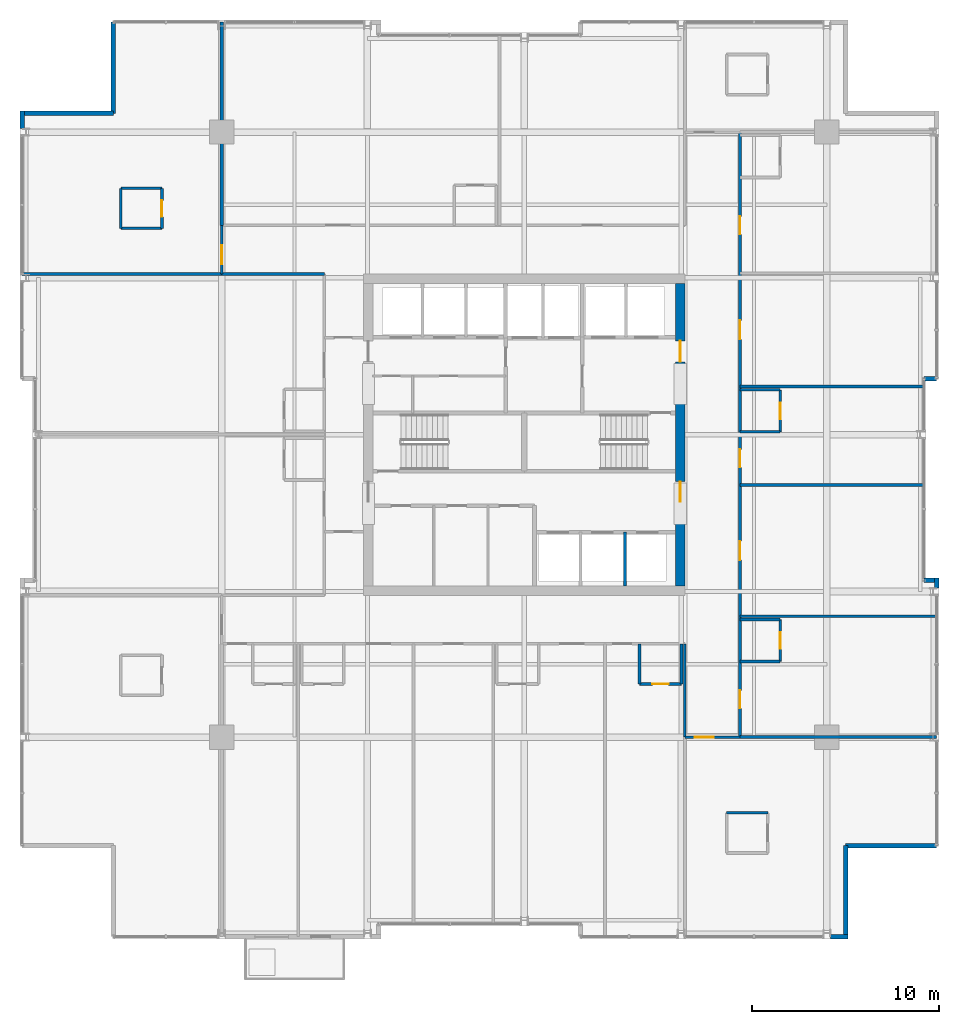
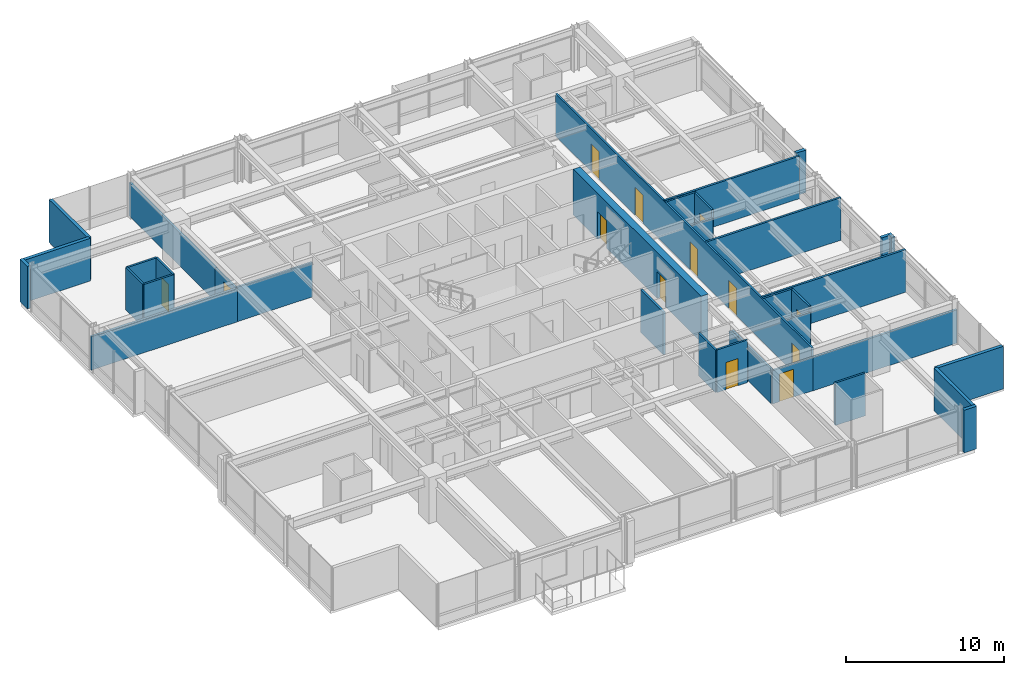
# One storey, part 28 of 32: 36 walls, 13 doors, 13 openings.
"""IFC4 building model written with IfcOpenShell, lengths in metres."""

import ifcopenshell
import ifcopenshell.guid

model = None  # the IFC model being written
_history = None  # IfcOwnerHistory: only IFC2X3 demands one
_inside = {}  # id of a spatial element -> (the spatial element, [elements in it])
_under = {}  # id of a project, library or spatial element -> (it, [spatial elements below it])
_declared = {}  # id of a project -> (the project, [libraries it declares])
_typed = {}  # id of a type object -> (the type object, [elements of that type])
_made_of = {}  # id of a material, layer set ... -> (it, [elements and type objects made of it])


def new_model(schema):
    """Start an empty IFC model of exactly this schema.

    Asked for "IFC4X3", IfcOpenShell would pick the latest addendum, in which some entities
    have other attributes; the version numbers below select the first issue.
    IFC2X3 requires an IfcOwnerHistory on every rooted entity: one is made here for all.
    """
    global model, _history
    if schema == "IFC4X3":
        model = ifcopenshell.file(schema_version=(4, 3, 0, 0))
    else:
        model = ifcopenshell.file(schema=schema)
    _inside.clear()
    _under.clear()
    _declared.clear()
    _typed.clear()
    _made_of.clear()
    _history = None
    if model.schema == "IFC2X3":
        org = make("IfcOrganization", Name="unknown")
        user = make(
            "IfcPersonAndOrganization",
            ThePerson=make("IfcPerson", FamilyName="unknown"),
            TheOrganization=org,
        )
        app = make(
            "IfcApplication",
            ApplicationDeveloper=org,
            Version="unknown",
            ApplicationFullName="unknown",
            ApplicationIdentifier="unknown",
        )
        _history = make(
            "IfcOwnerHistory",
            OwningUser=user,
            OwningApplication=app,
            ChangeAction="ADDED",
            CreationDate=0,
        )
    return model


def make(cls, **values):
    """One entity of the class cls with the attributes given. An attribute that is None is left unset."""
    return model.create_entity(
        cls, **{name: value for name, value in values.items() if value is not None}
    )


def rooted(cls, **values):
    """An entity with a GlobalId (a new one), such as an element, a storey or a relation."""
    return make(cls, GlobalId=ifcopenshell.guid.new(), OwnerHistory=_history, **values)


def si_unit(unit_type, name, prefix=None):
    """IfcSIUnit, for example si_unit("LENGTHUNIT", "METRE", prefix="MILLI")."""
    return make("IfcSIUnit", UnitType=unit_type, Prefix=prefix, Name=name)


def assignment(units):
    """IfcUnitAssignment: the units of a project."""
    return None if units is None else make("IfcUnitAssignment", Units=units)


def point(xyz):
    """IfcCartesianPoint."""
    return None if xyz is None else make("IfcCartesianPoint", Coordinates=xyz)


def direction(xyz):
    """IfcDirection."""
    return None if xyz is None else make("IfcDirection", DirectionRatios=xyz)


def frame(location, z_axis=None, x_axis=None):
    """IfcAxis2Placement3D, a coordinate frame: its origin and axes. An axis left out is left unset."""
    return make(
        "IfcAxis2Placement3D",
        Location=point(location),
        Axis=direction(z_axis),
        RefDirection=direction(x_axis),
    )


def frame_2d(location, x_axis=None):
    """IfcAxis2Placement2D, a coordinate frame in the plane: its origin and x axis."""
    return make(
        "IfcAxis2Placement2D", Location=point(location), RefDirection=direction(x_axis)
    )


def origin():
    """The frame at (0, 0, 0) with its axes left unset."""
    return frame((0.0, 0.0, 0.0))


def place(relative_to, where):
    """IfcLocalPlacement: puts the frame where relative to a parent placement (None: the world)."""
    return make(
        "IfcLocalPlacement", PlacementRelTo=relative_to, RelativePlacement=where
    )


def context(
    kind, dimensions, precision=None, world=None, true_north=None, identifier=None
):
    """IfcGeometricRepresentationContext, for example the 3D "Model" context."""
    return make(
        "IfcGeometricRepresentationContext",
        ContextIdentifier=identifier,
        ContextType=kind,
        CoordinateSpaceDimension=dimensions,
        Precision=precision,
        WorldCoordinateSystem=world,
        TrueNorth=true_north,
    )


def subcontext(parent, identifier, kind, view, scale=None):
    """IfcGeometricRepresentationSubContext, for example "Body" below "Model"."""
    return make(
        "IfcGeometricRepresentationSubContext",
        ContextIdentifier=identifier,
        ContextType=kind,
        ParentContext=parent,
        TargetScale=scale,
        TargetView=view,
    )


def project(units=None, contexts=None):
    """IfcProject with its units and contexts."""
    return rooted(
        "IfcProject",
        Name="project",
        RepresentationContexts=contexts,
        UnitsInContext=assignment(units),
    )


def spatial(cls, under=None, at=None, **own):
    """A site, building, storey or space (cls), placed at a placement, below another one or the project."""
    s = rooted(cls, ObjectPlacement=at, **own)
    if under is not None:
        _under.setdefault(under.id(), (under, []))[1].append(s)
    return s


def profile(cls, at=None, kind="AREA", **sizes):
    """A parametric profile (cls). Its sizes go by their IFC names, for example OverallWidth=200.0."""
    return make(cls, ProfileType=kind, Position=at, **sizes)


def rectangle(**sizes):
    """IfcRectangleProfileDef."""
    return profile("IfcRectangleProfileDef", **sizes)


def extrude(swept, where, along, depth):
    """IfcExtrudedAreaSolid: the profile swept, set in the frame where, extruded along a direction by depth."""
    return make(
        "IfcExtrudedAreaSolid",
        SweptArea=swept,
        Position=where,
        ExtrudedDirection=direction(along),
        Depth=depth,
    )


def shape(context_of_items, identifier, shape_type, items):
    """IfcShapeRepresentation: the items that make up one representation, for example the "Body"."""
    return make(
        "IfcShapeRepresentation",
        ContextOfItems=context_of_items,
        RepresentationIdentifier=identifier,
        RepresentationType=shape_type,
        Items=items,
    )


def material(Name=None, Category=None):
    """IfcMaterial."""
    return make("IfcMaterial", Name=Name, Category=Category)


def layer(
    of_material, thickness, ventilated=None, Name=None, Category=None, Priority=None
):
    """IfcMaterialLayer: one layer of a wall or slab, of a material (None: an air gap)."""
    return make(
        "IfcMaterialLayer",
        Material=of_material,
        LayerThickness=thickness,
        IsVentilated=ventilated,
        Name=Name,
        Category=Category,
        Priority=Priority,
    )


def layer_set(layers, Name=None):
    """IfcMaterialLayerSet."""
    return make("IfcMaterialLayerSet", MaterialLayers=layers, LayerSetName=Name)


def made_of(thing, what):
    """Note that an element or type object is made of a material, layer set ...; save() writes the relation."""
    if what is not None:
        _made_of.setdefault(what.id(), (what, []))[1].append(thing)
    return thing


def type_object(cls, material=None, **own):
    """A type object (cls), such as IfcWallType, which elements share."""
    return made_of(rooted(cls, **own), material)


def element(
    cls,
    number,
    at=None,
    inside=None,
    cuts=None,
    type_object=None,
    material=None,
    context=None,
    identifier="Body",
    shape_type=None,
    held_by="IfcProductDefinitionShape",
    body=None,
    shapes=None,
    **own,
):
    """One element of the class cls, such as IfcWall. Its Tag is "e" and its number.

    at: its placement. inside: the storey or other place that contains it. cuts: it is an
    opening in that element (IfcRelVoidsElement). A single representation is given by context,
    identifier, shape_type and body (its items); several are given by shapes. held_by: the class
    of the entity that holds the representations. save() writes the other relations.
    """
    e = rooted(cls, Tag="e%d" % number, ObjectPlacement=at, **own)
    if body is not None:
        shapes = [shape(context, identifier, shape_type, body)]
    if shapes is not None:
        e.Representation = make(held_by, Representations=shapes)
    if inside is not None:
        _inside.setdefault(inside.id(), (inside, []))[1].append(e)
    if cuts is not None:
        rooted(
            "IfcRelVoidsElement", RelatingBuildingElement=cuts, RelatedOpeningElement=e
        )
    if type_object is not None:
        _typed.setdefault(type_object.id(), (type_object, []))[1].append(e)
    return made_of(e, material)


def fill(opening, filler):
    """IfcRelFillsElement: the door or window that sits in an opening."""
    return rooted(
        "IfcRelFillsElement",
        RelatingOpeningElement=opening,
        RelatedBuildingElement=filler,
    )


def aggregate(whole, parts):
    """IfcRelAggregates: a whole, such as a stair, and the parts it consists of."""
    return rooted("IfcRelAggregates", RelatingObject=whole, RelatedObjects=parts)


def save(model, path):
    """Write the relations noted so far, then the file.

    IfcRelAggregates (storeys below a building ...), IfcRelContainedInSpatialStructure (elements
    in a storey), IfcRelDefinesByType, IfcRelAssociatesMaterial and IfcRelDeclares: one each for
    every whole, place, type object, material and project.
    """
    for whole, parts in _under.values():
        aggregate(whole, parts)
    for where, things in _inside.values():
        rooted(
            "IfcRelContainedInSpatialStructure",
            RelatedElements=things,
            RelatingStructure=where,
        )
    for kind, things in _typed.values():
        rooted("IfcRelDefinesByType", RelatedObjects=things, RelatingType=kind)
    for what, things in _made_of.values():
        rooted("IfcRelAssociatesMaterial", RelatedObjects=things, RelatingMaterial=what)
    for by, libraries in _declared.values():
        rooted("IfcRelDeclares", RelatingContext=by, RelatedDefinitions=libraries)
    model.write(path)


model = new_model("IFC4")

# Units and contexts
model_context = context("Model", 3, precision=1e-05, world=origin(), true_north=direction((0.0, 1.0)))
body_context = subcontext(model_context, "Body", "Model", "MODEL_VIEW")
ifc_project = project(units=[si_unit("LENGTHUNIT", "METRE"), si_unit("AREAUNIT", "SQUARE_METRE"), si_unit("VOLUMEUNIT", "CUBIC_METRE"), si_unit("PLANEANGLEUNIT", "RADIAN"), si_unit("MASSUNIT", "GRAM", prefix="KILO")], contexts=[model_context])

# Site, building, storey
site_placement = place(None, origin())
site = spatial("IfcSite", under=ifc_project, at=site_placement, CompositionType="ELEMENT")
building_placement = place(site_placement, origin())
building = spatial("IfcBuilding", under=site, at=building_placement, Name="Drelvath Grand Hotel", CompositionType="ELEMENT")
storey_placement = place(building_placement, frame((0.0, 0.0, 193.0)))
storey = spatial("IfcBuildingStorey", under=building, at=storey_placement, Name="L50", CompositionType="ELEMENT", Elevation=193.0)

# Walls
ifc_material_1 = material(Name="Gypsum Fireboard Partition")
ifc_layer_1 = layer(ifc_material_1, 0.1650390625)
ifc_layer_set_1 = layer_set([ifc_layer_1], Name="Gypsum Fireboard Partition")
wall_type_1 = type_object("IfcWallType", Name="Core Shaft Partition 165", PredefinedType="PARTITIONING", material=ifc_layer_set_1)
wall_1_placement = place(storey_placement, frame((5.39990234375, 18.89990234375, 0.0), z_axis=(0.0, 0.0, 1.0), x_axis=(0.0, 1.0, 0.0)))
element("IfcWall", 1, at=wall_1_placement, inside=storey, type_object=wall_type_1, Name="L50 Lift PE-5/6 Divider", PredefinedType="PARTITIONING", context=body_context, shape_type="SweptSolid", body=[
    extrude(rectangle(XDim=2.880126953125, YDim=0.1650390625, at=frame_2d((1.43994140625, 0.0))), origin(), (0.0, 0.0, 1.0), 3.2900390625),
])
ifc_layer_2 = layer(ifc_material_1, 0.135009765625)
ifc_layer_set_2 = layer_set([ifc_layer_2], Name="Gypsum Fireboard Partition")
wall_type_2 = type_object("IfcWallType", Name="Corridor Fire Barrier Wall 135", PredefinedType="PARTITIONING", material=ifc_layer_set_2)
wall_2_placement = place(storey_placement, frame((8.60009765625, 10.800048828125, 0.0), z_axis=(0.0, 0.0, 1.0), x_axis=(0.0, 1.0, 0.0)))
element("IfcWall", 2, at=wall_2_placement, inside=storey, type_object=wall_type_2, Name="L50 East Spine South Inner Wall", PredefinedType="PARTITIONING", context=body_context, shape_type="SweptSolid", body=[
    extrude(rectangle(XDim=5.0, YDim=0.135009765625, at=frame_2d((2.5, 0.0))), origin(), (0.0, 0.0, 1.0), 2.66748046875),
])
wall_3_placement = place(storey_placement, frame((-16.199951171875, 35.60009765625, 0.0), z_axis=(0.0, 0.0, 1.0), x_axis=(1.0, 0.0, 0.0)))
element("IfcWall", 3, at=wall_3_placement, inside=storey, type_object=wall_type_2, Name="L50 NW Stub South Wall", PredefinedType="PARTITIONING", context=body_context, shape_type="SweptSolid", body=[
    extrude(rectangle(XDim=5.5, YDim=0.135009765625, at=frame_2d((2.75, 0.0))), origin(), (0.0, 0.0, 1.0), 2.66748046875),
])

# Wall, openings, doors
wall_4_placement = place(storey_placement, frame((11.550048828125, 10.800048828125, 0.0), z_axis=(0.0, 0.0, 1.0), x_axis=(0.0, 1.0, 0.0)))
wall_4 = element("IfcWall", 4, at=wall_4_placement, inside=storey, type_object=wall_type_2, Name="L50 East Spine Corridor Wall", PredefinedType="PARTITIONING", context=body_context, shape_type="SweptSolid", body=[
    extrude(rectangle(XDim=32.39990234375, YDim=0.135009765625, at=frame_2d((16.199951171875, 0.0))), origin(), (0.0, 0.0, 1.0), 3.2900390625),
])
opening_1_placement = place(wall_4_placement, frame((1.544921875, 0.0, 0.0)))
opening_1 = element("IfcOpeningElement", 5, at=opening_1_placement, cuts=wall_4, Name="Opening D-T3G5-047", PredefinedType="OPENING", context=body_context, shape_type="SweptSolid", body=[
    extrude(rectangle(XDim=0.9599609375, YDim=2.14990234375, at=frame_2d((0.47998046875, 1.074951171875))), frame((0.0, 0.077392578125, 0.0), z_axis=(0.0, -1.0, 0.0), x_axis=(1.0, 0.0, 0.0)), (0.0, 0.0, 1.0), 0.155029296875),
])
opening_2_placement = place(wall_4_placement, frame((9.47998046875, 0.0, 0.0)))
opening_2 = element("IfcOpeningElement", 6, at=opening_2_placement, cuts=wall_4, Name="Opening D-T3G5-048", PredefinedType="OPENING", context=body_context, shape_type="SweptSolid", body=[
    extrude(rectangle(XDim=1.02001953125, YDim=2.14990234375, at=frame_2d((0.510009765625, 1.074951171875))), frame((0.0, 0.077392578125, 0.0), z_axis=(0.0, -1.0, 0.0), x_axis=(1.0, 0.0, 0.0)), (0.0, 0.0, 1.0), 0.155029296875),
])
opening_3_placement = place(wall_4_placement, frame((14.445068359375, 0.0, 0.0)))
opening_3 = element("IfcOpeningElement", 7, at=opening_3_placement, cuts=wall_4, Name="Opening D-T3G5-050", PredefinedType="OPENING", context=body_context, shape_type="SweptSolid", body=[
    extrude(rectangle(XDim=0.9599609375, YDim=2.14990234375, at=frame_2d((0.47998046875, 1.074951171875))), frame((0.0, 0.077392578125, 0.0), z_axis=(0.0, -1.0, 0.0), x_axis=(1.0, 0.0, 0.0)), (0.0, 0.0, 1.0), 0.155029296875),
])
opening_4_placement = place(wall_4_placement, frame((21.300048828125, 0.0, 0.0)))
opening_4 = element("IfcOpeningElement", 8, at=opening_4_placement, cuts=wall_4, Name="Opening D-T3G5-051", PredefinedType="OPENING", context=body_context, shape_type="SweptSolid", body=[
    extrude(rectangle(XDim=1.02001953125, YDim=2.14990234375, at=frame_2d((0.510009765625, 1.074951171875))), frame((0.0, 0.077392578125, 0.0), z_axis=(0.0, -1.0, 0.0), x_axis=(1.0, 0.0, 0.0)), (0.0, 0.0, 1.0), 0.155029296875),
])
opening_5_placement = place(wall_4_placement, frame((26.925048828125, 0.0, 0.0)))
opening_5 = element("IfcOpeningElement", 9, at=opening_5_placement, cuts=wall_4, Name="Opening D-T3G5-053", PredefinedType="OPENING", context=body_context, shape_type="SweptSolid", body=[
    extrude(rectangle(XDim=0.9599609375, YDim=2.14990234375, at=frame_2d((0.47998046875, 1.074951171875))), frame((0.0, 0.077392578125, 0.0), z_axis=(0.0, -1.0, 0.0), x_axis=(1.0, 0.0, 0.0)), (0.0, 0.0, 1.0), 0.155029296875),
])
ifc_material_2 = material(Name="Hardwood Walnut Timber", Category="wood")
door_type_1 = type_object("IfcDoorType", Name="Amenity Meeting Fire Door 1020x2150", OperationType="NOTDEFINED", PredefinedType="DOOR", material=ifc_material_2)
door_1_placement = place(opening_2_placement, origin())
door_1 = element("IfcDoor", 10, at=door_1_placement, inside=storey, type_object=door_type_1, Name="L50 Spa Therapy Room Entry Door", OperationType="SINGLE_SWING_RIGHT", OverallHeight=2.14990234375, OverallWidth=1.02001953125, PredefinedType="DOOR", context=body_context, shape_type="SweptSolid", body=[
    extrude(rectangle(XDim=1.02001953125, YDim=2.14990234375, at=frame_2d((0.510009765625, 1.074951171875))), frame((0.0, 0.02490234375, 0.0), z_axis=(0.0, -1.0, 0.0), x_axis=(1.0, 0.0, 0.0)), (0.0, 0.0, 1.0), 0.050048828125),
])
fill(opening_2, door_1)
door_2_placement = place(opening_4_placement, origin())
door_2 = element("IfcDoor", 11, at=door_2_placement, inside=storey, type_object=door_type_1, Name="L50 Protocol Office Entry Door", OperationType="SINGLE_SWING_LEFT", OverallHeight=2.14990234375, OverallWidth=1.02001953125, PredefinedType="DOOR", context=body_context, shape_type="SweptSolid", body=[
    extrude(rectangle(XDim=1.02001953125, YDim=2.14990234375, at=frame_2d((0.510009765625, 1.074951171875))), frame((0.0, 0.02490234375, 0.0), z_axis=(0.0, -1.0, 0.0), x_axis=(1.0, 0.0, 0.0)), (0.0, 0.0, 1.0), 0.050048828125),
])
fill(opening_4, door_2)
door_type_2 = type_object("IfcDoorType", Name="Guestroom Entrance Fire Door 960x2150", OperationType="NOTDEFINED", PredefinedType="DOOR", material=ifc_material_2)
door_3_placement = place(opening_1_placement, origin())
door_3 = element("IfcDoor", 12, at=door_3_placement, inside=storey, type_object=door_type_2, Name="L50 King Guest Room Entry Door", OperationType="SINGLE_SWING_LEFT", OverallHeight=2.14990234375, OverallWidth=0.9599609375, PredefinedType="DOOR", context=body_context, shape_type="SweptSolid", body=[
    extrude(rectangle(XDim=0.9599609375, YDim=2.14990234375, at=frame_2d((0.47998046875, 1.074951171875))), frame((0.0, 0.02490234375, 0.0), z_axis=(0.0, -1.0, 0.0), x_axis=(1.0, 0.0, 0.0)), (0.0, 0.0, 1.0), 0.050048828125),
])
fill(opening_1, door_3)
door_4_placement = place(opening_3_placement, origin())
door_4 = element("IfcDoor", 13, at=door_4_placement, inside=storey, type_object=door_type_2, Name="L50 King Guest Room Entry Door", OperationType="SINGLE_SWING_RIGHT", OverallHeight=2.14990234375, OverallWidth=0.9599609375, PredefinedType="DOOR", context=body_context, shape_type="SweptSolid", body=[
    extrude(rectangle(XDim=0.9599609375, YDim=2.14990234375, at=frame_2d((0.47998046875, 1.074951171875))), frame((0.0, 0.02490234375, 0.0), z_axis=(0.0, -1.0, 0.0), x_axis=(1.0, 0.0, 0.0)), (0.0, 0.0, 1.0), 0.050048828125),
])
fill(opening_3, door_4)
door_5_placement = place(opening_5_placement, origin())
door_5 = element("IfcDoor", 14, at=door_5_placement, inside=storey, type_object=door_type_2, Name="L50 King Guest Room Entry Door", OperationType="SINGLE_SWING_LEFT", OverallHeight=2.14990234375, OverallWidth=0.9599609375, PredefinedType="DOOR", context=body_context, shape_type="SweptSolid", body=[
    extrude(rectangle(XDim=0.9599609375, YDim=2.14990234375, at=frame_2d((0.47998046875, 1.074951171875))), frame((0.0, 0.02490234375, 0.0), z_axis=(0.0, -1.0, 0.0), x_axis=(1.0, 0.0, 0.0)), (0.0, 0.0, 1.0), 0.050048828125),
])
fill(opening_5, door_5)

# Wall, opening, door
wall_5_placement = place(storey_placement, frame((-16.199951171875, 35.60009765625, 0.0), z_axis=(0.0, 0.0, 1.0), x_axis=(0.0, 1.0, 0.0)))
wall_5 = element("IfcWall", 15, at=wall_5_placement, inside=storey, type_object=wall_type_2, Name="L50 North Stub West End", PredefinedType="PARTITIONING", context=body_context, shape_type="SweptSolid", body=[
    extrude(rectangle(XDim=2.599853515625, YDim=0.135009765625, at=frame_2d((1.2998046875, 0.0))), origin(), (0.0, 0.0, 1.0), 2.57958984375),
])
opening_6_placement = place(wall_5_placement, frame((0.52001953125, 0.0, 0.0)))
opening_6 = element("IfcOpeningElement", 16, at=opening_6_placement, cuts=wall_5, Name="Opening D-T3G5-029", PredefinedType="OPENING", context=body_context, shape_type="SweptSolid", body=[
    extrude(rectangle(XDim=1.02001953125, YDim=2.14990234375, at=frame_2d((0.510009765625, 1.074951171875))), frame((0.0, 0.077392578125, 0.0), z_axis=(0.0, -1.0, 0.0), x_axis=(1.0, 0.0, 0.0)), (0.0, 0.0, 1.0), 0.155029296875),
])
door_6_placement = place(opening_6_placement, origin())
door_6 = element("IfcDoor", 17, at=door_6_placement, inside=storey, type_object=door_type_1, Name="L50 Executive Suite Entry Door", OperationType="SINGLE_SWING_LEFT", OverallHeight=2.14990234375, OverallWidth=1.02001953125, PredefinedType="DOOR", context=body_context, shape_type="SweptSolid", body=[
    extrude(rectangle(XDim=1.02001953125, YDim=2.14990234375, at=frame_2d((0.510009765625, 1.074951171875))), frame((0.0, 0.02490234375, 0.0), z_axis=(0.0, -1.0, 0.0), x_axis=(1.0, 0.0, 0.0)), (0.0, 0.0, 1.0), 0.050048828125),
])
fill(opening_6, door_6)

wall_6_placement = place(storey_placement, frame((8.60009765625, 10.800048828125, 0.0), z_axis=(0.0, 0.0, 1.0), x_axis=(1.0, 0.0, 0.0)))
wall_6 = element("IfcWall", 18, at=wall_6_placement, inside=storey, type_object=wall_type_2, Name="L50 East Spine South End", PredefinedType="PARTITIONING", context=body_context, shape_type="SweptSolid", body=[
    extrude(rectangle(XDim=2.949951171875, YDim=0.135009765625, at=frame_2d((1.47509765625, 0.0))), origin(), (0.0, 0.0, 1.0), 2.57958984375),
])
opening_7_placement = place(wall_6_placement, frame((0.52001953125, 0.0, 0.0)))
opening_7 = element("IfcOpeningElement", 19, at=opening_7_placement, cuts=wall_6, Name="Opening D-T3G5-031", PredefinedType="OPENING", context=body_context, shape_type="SweptSolid", body=[
    extrude(rectangle(XDim=1.02001953125, YDim=2.14990234375, at=frame_2d((0.510009765625, 1.074951171875))), frame((0.0, 0.077392578125, 0.0), z_axis=(0.0, -1.0, 0.0), x_axis=(1.0, 0.0, 0.0)), (0.0, 0.0, 1.0), 0.155029296875),
])
door_7_placement = place(opening_7_placement, origin())
door_7 = element("IfcDoor", 20, at=door_7_placement, inside=storey, type_object=door_type_1, Name="L50 Executive Suite Entry Door", OperationType="SINGLE_SWING_LEFT", OverallHeight=2.14990234375, OverallWidth=1.02001953125, PredefinedType="DOOR", context=body_context, shape_type="SweptSolid", body=[
    extrude(rectangle(XDim=1.02001953125, YDim=2.14990234375, at=frame_2d((0.510009765625, 1.074951171875))), frame((0.0, 0.02490234375, 0.0), z_axis=(0.0, -1.0, 0.0), x_axis=(1.0, 0.0, 0.0)), (0.0, 0.0, 1.0), 0.050048828125),
])
fill(opening_7, door_7)

# Walls
ifc_material_3 = material(Name="Moisture-Resistant Gypsum Board")
ifc_layer_3 = layer(ifc_material_3, 0.139892578125)
ifc_layer_set_3 = layer_set([ifc_layer_3], Name="Moisture-Resistant Gypsum Board")
wall_type_3 = type_object("IfcWallType", Name="En-Suite Plumbing Wall 140", PredefinedType="PLUMBINGWALL", material=ifc_layer_set_3)
for number, where, z_axis, x_axis, name in (
    (21, (-21.60009765625, 38.0400390625, 0.0), (0.0, 0.0, 1.0), (1.0, 0.0, 0.0), "L50 Corner En-Suite South"),
    (22, (-21.60009765625, 40.18994140625, 0.0), (0.0, 0.0, 1.0), (1.0, 0.0, 0.0), "L50 Corner En-Suite North"),
):
    element("IfcWall", number, at=place(storey_placement, frame(where, z_axis=z_axis, x_axis=x_axis)), inside=storey, type_object=wall_type_3, Name=name, PredefinedType="PLUMBINGWALL", context=body_context, shape_type="SweptSolid", body=[
        extrude(rectangle(XDim=2.2001953125, YDim=0.139892578125, at=frame_2d((1.10009765625, 0.0))), origin(), (0.0, 0.0, 1.0), 3.2900390625),
    ])
wall_7_placement = place(storey_placement, frame((-21.60009765625, 38.0400390625, 0.0), z_axis=(0.0, 0.0, 1.0), x_axis=(0.0, 1.0, 0.0)))
element("IfcWall", 23, at=wall_7_placement, inside=storey, type_object=wall_type_3, Name="L50 Corner En-Suite West", PredefinedType="PLUMBINGWALL", context=body_context, shape_type="SweptSolid", body=[
    extrude(rectangle(XDim=2.14990234375, YDim=0.139892578125, at=frame_2d((1.074951171875, 0.0))), origin(), (0.0, 0.0, 1.0), 3.2900390625),
])

# Wall, opening, door
wall_8_placement = place(storey_placement, frame((-19.39990234375, 38.0400390625, 0.0), z_axis=(0.0, 0.0, 1.0), x_axis=(0.0, 1.0, 0.0)))
wall_8 = element("IfcWall", 24, at=wall_8_placement, inside=storey, type_object=wall_type_3, Name="L50 Corner En-Suite East", PredefinedType="PLUMBINGWALL", context=body_context, shape_type="SweptSolid", body=[
    extrude(rectangle(XDim=2.14990234375, YDim=0.139892578125, at=frame_2d((1.074951171875, 0.0))), origin(), (0.0, 0.0, 1.0), 3.2900390625),
])
opening_8_placement = place(wall_8_placement, frame((0.6201171875, 0.0, 0.0)))
opening_8 = element("IfcOpeningElement", 25, at=opening_8_placement, cuts=wall_8, Name="Opening D-T3G5-028", PredefinedType="OPENING", context=body_context, shape_type="SweptSolid", body=[
    extrude(rectangle(XDim=0.8798828125, YDim=2.10009765625, at=frame_2d((0.43994140625, 1.050048828125))), frame((0.0, 0.079833984375, 0.0), z_axis=(0.0, -1.0, 0.0), x_axis=(1.0, 0.0, 0.0)), (0.0, 0.0, 1.0), 0.159912109375),
])
door_type_3 = type_object("IfcDoorType", Name="En-Suite Bathroom Door 880x2100", OperationType="NOTDEFINED", PredefinedType="DOOR", material=ifc_material_2)
door_8_placement = place(opening_8_placement, origin())
door_8 = element("IfcDoor", 26, at=door_8_placement, inside=storey, type_object=door_type_3, Name="L50 Corner En-Suite Door", OperationType="SINGLE_SWING_RIGHT", OverallHeight=2.10009765625, OverallWidth=0.8798828125, PredefinedType="DOOR", context=body_context, shape_type="SweptSolid", body=[
    extrude(rectangle(XDim=0.8798828125, YDim=2.10009765625, at=frame_2d((0.43994140625, 1.050048828125))), frame((0.0, 0.02490234375, 0.0), z_axis=(0.0, -1.0, 0.0), x_axis=(1.0, 0.0, 0.0)), (0.0, 0.0, 1.0), 0.050048828125),
])
fill(opening_8, door_8)

# Walls
wall_9_placement = place(storey_placement, frame((10.840087890625, 6.75, 0.0), z_axis=(0.0, 0.0, 1.0), x_axis=(1.0, 0.0, 0.0)))
element("IfcWall", 27, at=wall_9_placement, inside=storey, type_object=wall_type_3, Name="L50 Corner En-Suite North", PredefinedType="PLUMBINGWALL", context=body_context, shape_type="SweptSolid", body=[
    extrude(rectangle(XDim=2.199951171875, YDim=0.139892578125, at=frame_2d((1.10009765625, 0.0))), origin(), (0.0, 0.0, 1.0), 3.2900390625),
])
wall_10_placement = place(storey_placement, frame((6.169921875, 15.800048828125, 0.0), z_axis=(0.0, 0.0, 1.0), x_axis=(0.0, -1.0, 0.0)))
element("IfcWall", 28, at=wall_10_placement, inside=storey, type_object=wall_type_3, Name="L50 En-Suite Left Wall", PredefinedType="PLUMBINGWALL", context=body_context, shape_type="SweptSolid", body=[
    extrude(rectangle(XDim=2.150146484375, YDim=0.139892578125, at=frame_2d((1.0751953125, 0.0))), origin(), (0.0, 0.0, 1.0), 3.2900390625),
])
wall_11_placement = place(storey_placement, frame((8.419921875, 15.800048828125, 0.0), z_axis=(0.0, 0.0, 1.0), x_axis=(0.0, -1.0, 0.0)))
element("IfcWall", 29, at=wall_11_placement, inside=storey, type_object=wall_type_3, Name="L50 En-Suite Right Wall", PredefinedType="PLUMBINGWALL", context=body_context, shape_type="SweptSolid", body=[
    extrude(rectangle(XDim=2.150146484375, YDim=0.139892578125, at=frame_2d((1.0751953125, 0.0))), origin(), (0.0, 0.0, 1.0), 2.66748046875),
])

# Wall, opening, door
wall_12_placement = place(storey_placement, frame((6.169921875, 13.64990234375, 0.0), z_axis=(0.0, 0.0, 1.0), x_axis=(1.0, 0.0, 0.0)))
wall_12 = element("IfcWall", 30, at=wall_12_placement, inside=storey, type_object=wall_type_3, Name="L50 En-Suite Front Wall", PredefinedType="PLUMBINGWALL", context=body_context, shape_type="SweptSolid", body=[
    extrude(rectangle(XDim=2.25, YDim=0.139892578125, at=frame_2d((1.125, 0.0))), origin(), (0.0, 0.0, 1.0), 3.2900390625),
])
opening_9_placement = place(wall_12_placement, frame((0.68505859375, 0.0, 0.0)))
opening_9 = element("IfcOpeningElement", 31, at=opening_9_placement, cuts=wall_12, Name="Opening D-T3G5-041", PredefinedType="OPENING", context=body_context, shape_type="SweptSolid", body=[
    extrude(rectangle(XDim=0.8798828125, YDim=2.10009765625, at=frame_2d((0.43994140625, 1.050048828125))), frame((0.0, 0.079833984375, 0.0), z_axis=(0.0, -1.0, 0.0), x_axis=(1.0, 0.0, 0.0)), (0.0, 0.0, 1.0), 0.159912109375),
])
door_9_placement = place(opening_9_placement, origin())
door_9 = element("IfcDoor", 32, at=door_9_placement, inside=storey, type_object=door_type_3, Name="L50 En-Suite Bathroom Door", OperationType="SINGLE_SWING_LEFT", OverallHeight=2.10009765625, OverallWidth=0.8798828125, PredefinedType="DOOR", context=body_context, shape_type="SweptSolid", body=[
    extrude(rectangle(XDim=0.8798828125, YDim=2.10009765625, at=frame_2d((0.43994140625, 1.050048828125))), frame((0.0, 0.02490234375, 0.0), z_axis=(0.0, -1.0, 0.0), x_axis=(1.0, 0.0, 0.0)), (0.0, 0.0, 1.0), 0.050048828125),
])
fill(opening_9, door_9)

# Walls
wall_13_placement = place(storey_placement, frame((11.550048828125, 14.85009765625, 0.0), z_axis=(0.0, 0.0, 1.0), x_axis=(1.0, 0.0, 0.0)))
element("IfcWall", 33, at=wall_13_placement, inside=storey, type_object=wall_type_3, Name="L50 En-Suite Left Wall", PredefinedType="PLUMBINGWALL", context=body_context, shape_type="SweptSolid", body=[
    extrude(rectangle(XDim=2.14990234375, YDim=0.139892578125, at=frame_2d((1.074951171875, 0.0))), origin(), (0.0, 0.0, 1.0), 2.868408203125),
])
wall_14_placement = place(storey_placement, frame((11.550048828125, 17.10009765625, 0.0), z_axis=(0.0, 0.0, 1.0), x_axis=(1.0, 0.0, 0.0)))
element("IfcWall", 34, at=wall_14_placement, inside=storey, type_object=wall_type_3, Name="L50 En-Suite Right Wall", PredefinedType="PLUMBINGWALL", context=body_context, shape_type="SweptSolid", body=[
    extrude(rectangle(XDim=2.14990234375, YDim=0.139892578125, at=frame_2d((1.074951171875, 0.0))), origin(), (0.0, 0.0, 1.0), 3.2900390625),
])

# Wall, opening, door
wall_15_placement = place(storey_placement, frame((13.699951171875, 14.85009765625, 0.0), z_axis=(0.0, 0.0, 1.0), x_axis=(0.0, 1.0, 0.0)))
wall_15 = element("IfcWall", 35, at=wall_15_placement, inside=storey, type_object=wall_type_3, Name="L50 En-Suite Front Wall", PredefinedType="PLUMBINGWALL", context=body_context, shape_type="SweptSolid", body=[
    extrude(rectangle(XDim=2.25, YDim=0.139892578125, at=frame_2d((1.125, 0.0))), origin(), (0.0, 0.0, 1.0), 3.2900390625),
])
opening_10_placement = place(wall_15_placement, frame((0.68505859375, 0.0, 0.0)))
opening_10 = element("IfcOpeningElement", 36, at=opening_10_placement, cuts=wall_15, Name="Opening D-T3G5-046", PredefinedType="OPENING", context=body_context, shape_type="SweptSolid", body=[
    extrude(rectangle(XDim=0.8798828125, YDim=2.10009765625, at=frame_2d((0.43994140625, 1.050048828125))), frame((0.0, 0.079833984375, 0.0), z_axis=(0.0, -1.0, 0.0), x_axis=(1.0, 0.0, 0.0)), (0.0, 0.0, 1.0), 0.159912109375),
])
door_10_placement = place(opening_10_placement, origin())
door_10 = element("IfcDoor", 37, at=door_10_placement, inside=storey, type_object=door_type_3, Name="L50 En-Suite Bathroom Door", OperationType="SINGLE_SWING_RIGHT", OverallHeight=2.10009765625, OverallWidth=0.8798828125, PredefinedType="DOOR", context=body_context, shape_type="SweptSolid", body=[
    extrude(rectangle(XDim=0.8798828125, YDim=2.10009765625, at=frame_2d((0.43994140625, 1.050048828125))), frame((0.0, 0.02490234375, 0.0), z_axis=(0.0, -1.0, 0.0), x_axis=(1.0, 0.0, 0.0)), (0.0, 0.0, 1.0), 0.050048828125),
])
fill(opening_10, door_10)

# Walls
wall_16_placement = place(storey_placement, frame((11.550048828125, 27.14990234375, 0.0), z_axis=(0.0, 0.0, 1.0), x_axis=(1.0, 0.0, 0.0)))
element("IfcWall", 38, at=wall_16_placement, inside=storey, type_object=wall_type_3, Name="L50 En-Suite Left Wall", PredefinedType="PLUMBINGWALL", context=body_context, shape_type="SweptSolid", body=[
    extrude(rectangle(XDim=2.14990234375, YDim=0.139892578125, at=frame_2d((1.074951171875, 0.0))), origin(), (0.0, 0.0, 1.0), 2.66748046875),
])
wall_17_placement = place(storey_placement, frame((11.550048828125, 29.39990234375, 0.0), z_axis=(0.0, 0.0, 1.0), x_axis=(1.0, 0.0, 0.0)))
element("IfcWall", 39, at=wall_17_placement, inside=storey, type_object=wall_type_3, Name="L50 En-Suite Right Wall", PredefinedType="PLUMBINGWALL", context=body_context, shape_type="SweptSolid", body=[
    extrude(rectangle(XDim=2.14990234375, YDim=0.139892578125, at=frame_2d((1.074951171875, 0.0))), origin(), (0.0, 0.0, 1.0), 3.2900390625),
])

# Wall, opening, door
wall_18_placement = place(storey_placement, frame((13.699951171875, 27.14990234375, 0.0), z_axis=(0.0, 0.0, 1.0), x_axis=(0.0, 1.0, 0.0)))
wall_18 = element("IfcWall", 40, at=wall_18_placement, inside=storey, type_object=wall_type_3, Name="L50 En-Suite Front Wall", PredefinedType="PLUMBINGWALL", context=body_context, shape_type="SweptSolid", body=[
    extrude(rectangle(XDim=2.25, YDim=0.139892578125, at=frame_2d((1.125, 0.0))), origin(), (0.0, 0.0, 1.0), 3.2900390625),
])
opening_11_placement = place(wall_18_placement, frame((0.68505859375, 0.0, 0.0)))
opening_11 = element("IfcOpeningElement", 41, at=opening_11_placement, cuts=wall_18, Name="Opening D-T3G5-049", PredefinedType="OPENING", context=body_context, shape_type="SweptSolid", body=[
    extrude(rectangle(XDim=0.8798828125, YDim=2.10009765625, at=frame_2d((0.43994140625, 1.050048828125))), frame((0.0, 0.079833984375, 0.0), z_axis=(0.0, -1.0, 0.0), x_axis=(1.0, 0.0, 0.0)), (0.0, 0.0, 1.0), 0.159912109375),
])
door_11_placement = place(opening_11_placement, origin())
door_11 = element("IfcDoor", 42, at=door_11_placement, inside=storey, type_object=door_type_3, Name="L50 En-Suite Bathroom Door", OperationType="SINGLE_SWING_LEFT", OverallHeight=2.10009765625, OverallWidth=0.8798828125, PredefinedType="DOOR", context=body_context, shape_type="SweptSolid", body=[
    extrude(rectangle(XDim=0.8798828125, YDim=2.10009765625, at=frame_2d((0.43994140625, 1.050048828125))), frame((0.0, 0.02490234375, 0.0), z_axis=(0.0, -1.0, 0.0), x_axis=(1.0, 0.0, 0.0)), (0.0, 0.0, 1.0), 0.050048828125),
])
fill(opening_11, door_11)

# Walls
ifc_material_4 = material(Name="Gypsum Acoustic Partition")
ifc_layer_4 = layer(ifc_material_4, 0.14990234375)
ifc_layer_set_4 = layer_set([ifc_layer_4], Name="Gypsum Acoustic Partition")
wall_type_4 = type_object("IfcWallType", Name="Guestroom Demising Wall 150", PredefinedType="PARTITIONING", material=ifc_layer_set_4)
wall_19_placement = place(storey_placement, frame((11.550048828125, 17.280029296875, 0.0), z_axis=(0.0, 0.0, 1.0), x_axis=(1.0, 0.0, 0.0)))
element("IfcWall", 43, at=wall_19_placement, inside=storey, type_object=wall_type_4, Name="L50 East Demising 1", PredefinedType="PARTITIONING", context=body_context, shape_type="SweptSolid", body=[
    extrude(rectangle(XDim=10.530029296875, YDim=0.14990234375, at=frame_2d((5.26513671875, 0.0))), origin(), (0.0, 0.0, 1.0), 3.2900390625),
])
for number, where, z_axis, x_axis, name in (
    (44, (11.550048828125, 24.300048828125, 0.0), (0.0, 0.0, 1.0), (1.0, 0.0, 0.0), "L50 East Demising 2"),
    (45, (11.550048828125, 29.580078125, 0.0), (0.0, 0.0, 1.0), (1.0, 0.0, 0.0), "L50 East Demising 3"),
):
    element("IfcWall", number, at=place(storey_placement, frame(where, z_axis=z_axis, x_axis=x_axis)), inside=storey, type_object=wall_type_4, Name=name, PredefinedType="PARTITIONING", context=body_context, shape_type="SweptSolid", body=[
        extrude(rectangle(XDim=9.849853515625, YDim=0.14990234375, at=frame_2d((4.9248046875, 0.0))), origin(), (0.0, 0.0, 1.0), 3.2900390625),
    ])
ifc_layer_5 = layer(ifc_material_4, 0.1650390625)
ifc_layer_set_5 = layer_set([ifc_layer_5], Name="Gypsum Acoustic Partition")
wall_type_5 = type_object("IfcWallType", Name="Suite Demising Wall 165", PredefinedType="PARTITIONING", material=ifc_layer_set_5)
wall_20_placement = place(storey_placement, frame((-16.199951171875, 38.199951171875, 0.0), z_axis=(0.0, 0.0, 1.0), x_axis=(0.0, 1.0, 0.0)))
element("IfcWall", 46, at=wall_20_placement, inside=storey, type_object=wall_type_5, Name="L50 NW Suite East Wall", PredefinedType="PARTITIONING", context=body_context, shape_type="SweptSolid", body=[
    extrude(rectangle(XDim=10.880126953125, YDim=0.1650390625, at=frame_2d((5.43994140625, 0.0))), origin(), (0.0, 0.0, 1.0), 2.57958984375),
])
wall_21_placement = place(storey_placement, frame((11.550048828125, 10.800048828125, 0.0), z_axis=(0.0, 0.0, 1.0), x_axis=(1.0, 0.0, 0.0)))
element("IfcWall", 47, at=wall_21_placement, inside=storey, type_object=wall_type_5, Name="L50 SE Suite North Wall", PredefinedType="PARTITIONING", context=body_context, shape_type="SweptSolid", body=[
    extrude(rectangle(XDim=10.530029296875, YDim=0.1650390625, at=frame_2d((5.26513671875, 0.0))), origin(), (0.0, 0.0, 1.0), 2.57958984375),
])
wall_22_placement = place(storey_placement, frame((-26.8798828125, 35.60009765625, 0.0), z_axis=(0.0, 0.0, 1.0), x_axis=(1.0, 0.0, 0.0)))
element("IfcWall", 48, at=wall_22_placement, inside=storey, type_object=wall_type_5, Name="L50 NW Suite South Wall", PredefinedType="PARTITIONING", context=body_context, shape_type="SweptSolid", body=[
    extrude(rectangle(XDim=10.679931640625, YDim=0.1650390625, at=frame_2d((5.33984375, 0.0))), origin(), (0.0, 0.0, 1.0), 2.57958984375),
])
ifc_material_5 = material(Name="Pale-Metal Insulated Aluminium Spandrel Assembly", Category="aluminium")
ifc_layer_6 = layer(ifc_material_5, 0.239990234375)
ifc_layer_set_6 = layer_set([ifc_layer_6], Name="Pale-Metal Insulated Aluminium Spandrel Assembly")
wall_type_6 = type_object("IfcWallType", Name="Tower Insulated Metal Spandrel Closure Wall 240", PredefinedType="STANDARD", material=ifc_layer_set_6)
wall_23_placement = place(storey_placement, frame((-26.8798828125, 43.3916015625, 0.0), z_axis=(0.0, 0.0, 1.0), x_axis=(0.0, 1.0, 0.0)))
element("IfcWall", 49, at=wall_23_placement, inside=storey, type_object=wall_type_6, Name="L50 Corner Pier Spandrel Wall WN3", PredefinedType="STANDARD", context=body_context, shape_type="SweptSolid", body=[
    extrude(rectangle(XDim=0.928466796875, YDim=0.239990234375, at=frame_2d((0.46435546875, 0.0))), origin(), (0.0, 0.0, 1.0), 3.2900390625),
])
wall_24_placement = place(storey_placement, frame((22.080078125, 19.320068359375, 0.0), z_axis=(0.0, 0.0, 1.0), x_axis=(0.0, -1.0, 0.0)))
element("IfcWall", 50, at=wall_24_placement, inside=storey, type_object=wall_type_6, Name="L50 Corner Pier Spandrel Wall ES3", PredefinedType="STANDARD", context=body_context, shape_type="SweptSolid", body=[
    extrude(rectangle(XDim=0.5283203125, YDim=0.239990234375, at=frame_2d((0.26416015625, 0.0))), origin(), (0.0, 0.0, 1.0), 3.2900390625),
])
wall_25_placement = place(storey_placement, frame((17.320068359375, 0.1201171875, 0.0), z_axis=(0.0, 0.0, 1.0), x_axis=(-1.0, 0.0, 0.0)))
element("IfcWall", 51, at=wall_25_placement, inside=storey, type_object=wall_type_6, Name="L50 Corner Pier Spandrel Wall SE3", PredefinedType="STANDARD", context=body_context, shape_type="SweptSolid", body=[
    extrude(rectangle(XDim=0.928466796875, YDim=0.239990234375, at=frame_2d((0.46435546875, 0.0))), origin(), (0.0, 0.0, 1.0), 3.2900390625),
])
wall_26_placement = place(storey_placement, frame((-26.760009765625, 44.199951171875, 0.0), z_axis=(0.0, 0.0, 1.0), x_axis=(1.0, 0.0, 0.0)))
element("IfcWall", 52, at=wall_26_placement, inside=storey, type_object=wall_type_6, Name="L50 Notched Corner Return Spandrel Wall CNW1", PredefinedType="STANDARD", context=body_context, shape_type="SweptSolid", body=[
    extrude(rectangle(XDim=4.760009765625, YDim=0.239990234375, at=frame_2d((2.3798828125, 0.0))), origin(), (0.0, 0.0, 1.0), 3.2900390625),
])
for number, where, z_axis, x_axis, name in (
    (53, (-22.0, 44.199951171875, 0.0), (0.0, 0.0, 1.0), (0.0, 1.0, 0.0), "L50 Notched Corner Return Spandrel Wall CNW2"),
    (54, (22.080078125, 5.0, 0.0), (0.0, 0.0, 1.0), (-1.0, 0.0, 0.0), "L50 Notched Corner Return Spandrel Wall CSE1"),
):
    element("IfcWall", number, at=place(storey_placement, frame(where, z_axis=z_axis, x_axis=x_axis)), inside=storey, type_object=wall_type_6, Name=name, PredefinedType="STANDARD", context=body_context, shape_type="SweptSolid", body=[
        extrude(rectangle(XDim=4.880126953125, YDim=0.239990234375, at=frame_2d((2.43994140625, 0.0))), origin(), (0.0, 0.0, 1.0), 3.2900390625),
    ])
wall_27_placement = place(storey_placement, frame((17.199951171875, 5.0, 0.0), z_axis=(0.0, 0.0, 1.0), x_axis=(0.0, -1.0, 0.0)))
element("IfcWall", 55, at=wall_27_placement, inside=storey, type_object=wall_type_6, Name="L50 Notched Corner Return Spandrel Wall CSE2", PredefinedType="STANDARD", context=body_context, shape_type="SweptSolid", body=[
    extrude(rectangle(XDim=4.760009765625, YDim=0.239990234375, at=frame_2d((2.3798828125, 0.0))), origin(), (0.0, 0.0, 1.0), 3.2900390625),
])
wall_28_placement = place(storey_placement, frame((22.080078125, 30.0, 0.0), z_axis=(0.0, 0.0, 1.0), x_axis=(-1.0, 0.0, 0.0)))
element("IfcWall", 56, at=wall_28_placement, inside=storey, type_object=wall_type_6, Name="L50 Notched Corner Return Spandrel Wall RE1", PredefinedType="STANDARD", context=body_context, shape_type="SweptSolid", body=[
    extrude(rectangle(XDim=0.68017578125, YDim=0.239990234375, at=frame_2d((0.340087890625, 0.0))), origin(), (0.0, 0.0, 1.0), 3.2900390625),
])
wall_29_placement = place(storey_placement, frame((21.39990234375, 19.199951171875, 0.0), z_axis=(0.0, 0.0, 1.0), x_axis=(1.0, 0.0, 0.0)))
element("IfcWall", 57, at=wall_29_placement, inside=storey, type_object=wall_type_6, Name="L50 Notched Corner Return Spandrel Wall RE2", PredefinedType="STANDARD", context=body_context, shape_type="SweptSolid", body=[
    extrude(rectangle(XDim=0.56005859375, YDim=0.239990234375, at=frame_2d((0.280029296875, 0.0))), origin(), (0.0, 0.0, 1.0), 3.2900390625),
])

# Wall, openings, doors
ifc_material_6 = material(Name="Concrete f'c 55 MPa", Category="concrete")
ifc_layer_7 = layer(ifc_material_6, 0.5)
ifc_layer_set_7 = layer_set([ifc_layer_7], Name="Concrete f'c 55 MPa")
wall_type_7 = type_object("IfcWallType", Name="Upper Core RC Shear Wall 500", PredefinedType="SHEAR", material=ifc_layer_set_7)
wall_30_placement = place(storey_placement, frame((8.35009765625, 35.10009765625, 0.0), z_axis=(0.0, 0.0, 1.0), x_axis=(0.0, -1.0, 0.0)))
wall_30 = element("IfcWall", 58, at=wall_30_placement, inside=storey, type_object=wall_type_7, Name="L50 Central Core Shear Wall E", PredefinedType="SHEAR", context=body_context, shape_type="SweptSolid", body=[
    extrude(rectangle(XDim=16.2001953125, YDim=0.5, at=frame_2d((8.10009765625, 0.0))), origin(), (0.0, 0.0, 1.0), 3.550048828125),
])
opening_12_placement = place(wall_30_placement, frame((3.080078125, 0.0, 0.0)))
opening_12 = element("IfcOpeningElement", 59, at=opening_12_placement, cuts=wall_30, Name="Opening D-T3G5-006", PredefinedType="OPENING", context=body_context, shape_type="SweptSolid", body=[
    extrude(rectangle(XDim=1.1201171875, YDim=2.10009765625, at=frame_2d((0.56005859375, 1.050048828125))), frame((0.0, 0.260009765625, 0.0), z_axis=(0.0, -1.0, 0.0), x_axis=(1.0, 0.0, 0.0)), (0.0, 0.0, 1.0), 0.52001953125),
])
opening_13_placement = place(wall_30_placement, frame((10.6201171875, 0.0, 0.0)))
opening_13 = element("IfcOpeningElement", 60, at=opening_13_placement, cuts=wall_30, Name="Opening D-T3G5-020", PredefinedType="OPENING", context=body_context, shape_type="SweptSolid", body=[
    extrude(rectangle(XDim=1.080078125, YDim=2.0400390625, at=frame_2d((0.5400390625, 1.02001953125))), frame((0.0, 0.260009765625, 0.0), z_axis=(0.0, -1.0, 0.0), x_axis=(1.0, 0.0, 0.0)), (0.0, 0.0, 1.0), 0.52001953125),
])
ifc_material_7 = material(Name="Painted Steel S275", Category="steel")
door_type_4 = type_object("IfcDoorType", Name="Core Corridor Fire Door 1080x2100", OperationType="NOTDEFINED", PredefinedType="DOOR", material=ifc_material_7)
door_12_placement = place(opening_13_placement, origin())
door_12 = element("IfcDoor", 61, at=door_12_placement, inside=storey, type_object=door_type_4, Name="L50 Mid-Rise Lobby East Door", OperationType="SINGLE_SWING_RIGHT", OverallHeight=2.0400390625, OverallWidth=1.080078125, PredefinedType="DOOR", context=body_context, shape_type="SweptSolid", body=[
    extrude(rectangle(XDim=1.080078125, YDim=2.0400390625, at=frame_2d((0.5400390625, 1.02001953125))), frame((0.0, 0.02490234375, 0.0), z_axis=(0.0, -1.0, 0.0), x_axis=(1.0, 0.0, 0.0)), (0.0, 0.0, 1.0), 0.050048828125),
])
fill(opening_13, door_12)
door_type_5 = type_object("IfcDoorType", Name="FSAE Smoke Lobby Fire Door 1120x2100", OperationType="NOTDEFINED", PredefinedType="DOOR", material=ifc_material_7)
door_13_placement = place(opening_12_placement, origin())
door_13 = element("IfcDoor", 62, at=door_13_placement, inside=storey, type_object=door_type_5, Name="L50 FSAE Lobby East Corridor Door", OperationType="SINGLE_SWING_LEFT", OverallHeight=2.10009765625, OverallWidth=1.1201171875, PredefinedType="DOOR", context=body_context, shape_type="SweptSolid", body=[
    extrude(rectangle(XDim=1.1201171875, YDim=2.10009765625, at=frame_2d((0.56005859375, 1.050048828125))), frame((0.0, 0.02490234375, 0.0), z_axis=(0.0, -1.0, 0.0), x_axis=(1.0, 0.0, 0.0)), (0.0, 0.0, 1.0), 0.050048828125),
])
fill(opening_12, door_13)

save(model, "model.ifc")
